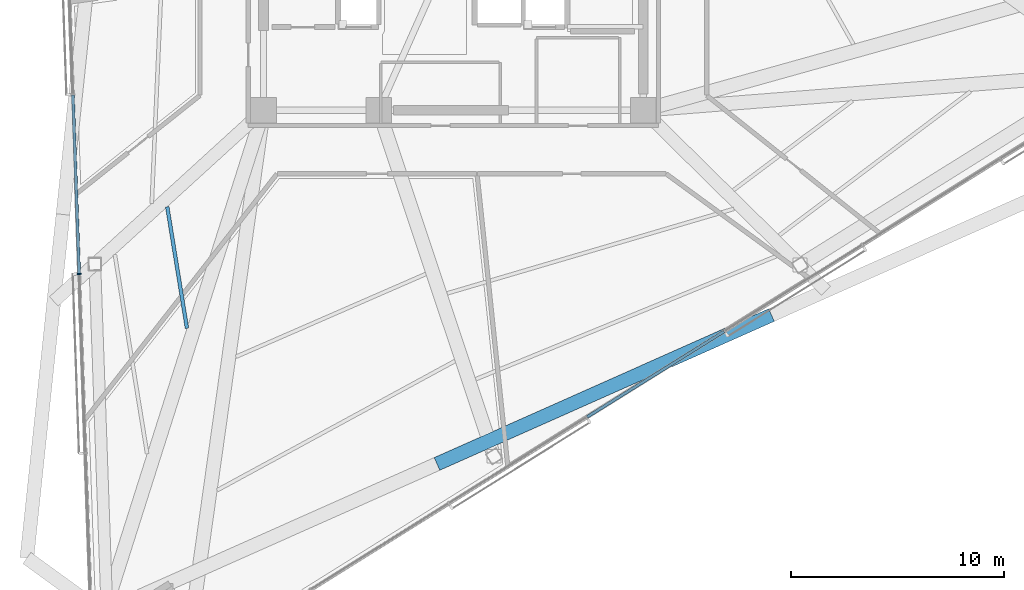
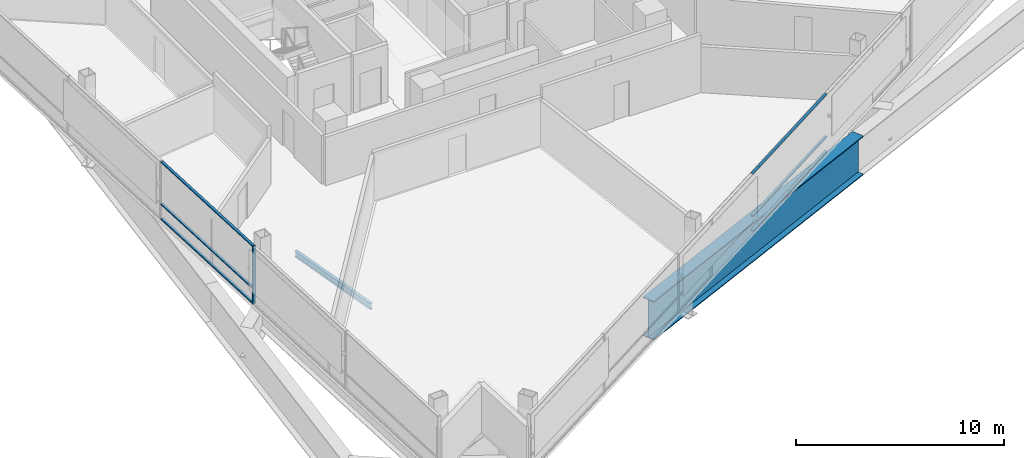
# One storey, part 3 of 20: 7 members, 2 beams, 2 elements without a shape of their own.
"""IFC4 building model written with IfcOpenShell, lengths in metres."""

from ifc_helpers import new_model, si_unit, direction, frame, origin, origin_2d, place, context, subcontext, project, spatial, rectangle, i_section, extrude, material, layer, layer_set, material_profile, profile_set, type_object, element, aggregate, save


model = new_model("IFC4")

# Units and contexts
model_context = context("Model", 3, precision=1e-05, world=origin(), true_north=direction((0.0, 1.0)))
body_context = subcontext(model_context, "Body", "Model", "MODEL_VIEW")
ifc_project = project(units=[si_unit("LENGTHUNIT", "METRE"), si_unit("AREAUNIT", "SQUARE_METRE"), si_unit("VOLUMEUNIT", "CUBIC_METRE"), si_unit("PLANEANGLEUNIT", "RADIAN"), si_unit("MASSUNIT", "GRAM", prefix="KILO")], contexts=[model_context])

# Site, building, storey
site_placement = place(None, origin())
site = spatial("IfcSite", under=ifc_project, at=site_placement, CompositionType="ELEMENT")
building_placement = place(site_placement, origin())
building = spatial("IfcBuilding", under=site, at=building_placement, Name="Tharavind Bronze Gate", CompositionType="ELEMENT")
storey_placement = place(building_placement, frame((0.0, 0.0, 138.800048828125)))
storey = spatial("IfcBuildingStorey", under=building, at=storey_placement, Name="L35", CompositionType="ELEMENT", Elevation=138.800048828125)

# Curtain wall, members
ifc_material_1 = material(Name="Anodised Bronze Aluminium", Category="aluminium")
ifc_layer = layer(ifc_material_1, 0.219970703125)
ifc_layer_set = layer_set([ifc_layer], Name="Anodised Bronze Aluminium")
curtain_wall_type = type_object("IfcCurtainWallType", Name="UNITISED CURTAIN WALL MID OFFICE", PredefinedType="USERDEFINED", material=ifc_layer_set)
curtain_wall_1_placement = place(storey_placement, origin())
curtain_wall_1 = element("IfcCurtainWall", 1, at=curtain_wall_1_placement, inside=storey, type_object=curtain_wall_type, Name="L35 unitised curtain wall mid office CW-L35-S1", ObjectType="UNITISED CURTAIN WALL", PredefinedType="USERDEFINED")
member_type_1 = type_object("IfcMemberType", Name="CURTAIN WALL BRONZE MULLION 65X180", PredefinedType="MULLION", material=ifc_material_1)
member_1_placement = place(storey_placement, frame((-17.545166015625, -15.273193359375, 0.0), z_axis=(0.0, 0.0, 1.0), x_axis=(0.034899496703, -0.999390827019, 0.0)))
member_1 = element("IfcMember", 2, at=member_1_placement, type_object=member_type_1, Name="CW-L35-S1 mullion 5", PredefinedType="MULLION", context=body_context, shape_type="SweptSolid", body=[
    extrude(rectangle(XDim=0.06494140625, YDim=0.179931640625, at=origin_2d()), origin(), (0.0, 0.0, 1.0), 3.409912109375),
])
member_type_2 = type_object("IfcMemberType", Name="CURTAIN WALL BRONZE TRANSOM 65X140", PredefinedType="USERDEFINED", material=ifc_material_1)
member_2_placement = place(storey_placement, frame((-17.69189453125, -11.068603515625, 0.0), z_axis=(0.0, 0.0, 1.0), x_axis=(0.034899496703, -0.999390827019, 0.0)))
member_2 = element("IfcMember", 3, at=member_2_placement, type_object=member_type_2, Name="CW-L35-S1 transom TB4", ObjectType="TRANSOM", PredefinedType="USERDEFINED", context=body_context, shape_type="SweptSolid", body=[
    extrude(rectangle(XDim=8.361572265625, YDim=0.139892578125, at=origin_2d()), origin(), (0.0, 0.0, 1.0), 0.06494140625),
])
member_3_placement = place(storey_placement, frame((-17.69189453125, -11.068603515625, 0.867431640625), z_axis=(0.0, 0.0, 1.0), x_axis=(0.034899496703, -0.999390827019, 0.0)))
member_3 = element("IfcMember", 4, at=member_3_placement, type_object=member_type_2, Name="CW-L35-S1 transom TS4", ObjectType="TRANSOM", PredefinedType="USERDEFINED", context=body_context, shape_type="SweptSolid", body=[
    extrude(rectangle(XDim=8.361572265625, YDim=0.139892578125, at=origin_2d()), origin(), (0.0, 0.0, 1.0), 0.06494140625),
])
member_4_placement = place(storey_placement, frame((-17.69189453125, -11.068603515625, 3.344970703125), z_axis=(0.0, 0.0, 1.0), x_axis=(0.034899496703, -0.999390827019, 0.0)))
member_4 = element("IfcMember", 5, at=member_4_placement, type_object=member_type_2, Name="CW-L35-S1 transom TT4", ObjectType="TRANSOM", PredefinedType="USERDEFINED", context=body_context, shape_type="SweptSolid", body=[
    extrude(rectangle(XDim=8.361572265625, YDim=0.139892578125, at=origin_2d()), origin(), (0.0, 0.0, 1.0), 0.06494140625),
])
aggregate(curtain_wall_1, [member_1, member_2, member_3, member_4])

curtain_wall_2_placement = place(storey_placement, origin())
curtain_wall_2 = element("IfcCurtainWall", 6, at=curtain_wall_2_placement, inside=storey, type_object=curtain_wall_type, Name="L35 unitised curtain wall mid office CW-L35-S2", ObjectType="UNITISED CURTAIN WALL", PredefinedType="USERDEFINED")
member_5_placement = place(storey_placement, frame((9.485595703125, -19.97998046875, 0.0), z_axis=(0.0, 0.0, 1.0), x_axis=(0.848048096156, 0.529919264233, 0.0)))
member_5 = element("IfcMember", 7, at=member_5_placement, type_object=member_type_2, Name="CW-L35-S2 transom TB4", ObjectType="TRANSOM", PredefinedType="USERDEFINED", context=body_context, shape_type="SweptSolid", body=[
    extrude(rectangle(XDim=7.57080078125, YDim=0.139892578125, at=origin_2d()), origin(), (0.0, 0.0, 1.0), 0.06494140625),
])
member_6_placement = place(storey_placement, frame((9.485595703125, -19.97998046875, 0.867431640625), z_axis=(0.0, 0.0, 1.0), x_axis=(0.848048096156, 0.529919264233, 0.0)))
member_6 = element("IfcMember", 8, at=member_6_placement, type_object=member_type_2, Name="CW-L35-S2 transom TS4", ObjectType="TRANSOM", PredefinedType="USERDEFINED", context=body_context, shape_type="SweptSolid", body=[
    extrude(rectangle(XDim=7.57080078125, YDim=0.139892578125, at=origin_2d()), origin(), (0.0, 0.0, 1.0), 0.06494140625),
])
member_7_placement = place(storey_placement, frame((9.485595703125, -19.97998046875, 3.344970703125), z_axis=(0.0, 0.0, 1.0), x_axis=(0.848048096156, 0.529919264233, 0.0)))
member_7 = element("IfcMember", 9, at=member_7_placement, type_object=member_type_2, Name="CW-L35-S2 transom TT4", ObjectType="TRANSOM", PredefinedType="USERDEFINED", context=body_context, shape_type="SweptSolid", body=[
    extrude(rectangle(XDim=7.57080078125, YDim=0.139892578125, at=origin_2d()), origin(), (0.0, 0.0, 1.0), 0.06494140625),
])
aggregate(curtain_wall_2, [member_5, member_6, member_7])

# Beams
ifc_material_2 = material(Name="Steel S355", Category="steel")
ifc_material_profile_1 = material_profile(ifc_material_2, i_section(OverallWidth=0.169921875, OverallDepth=0.360107421875, WebThickness=0.008056640625, FlangeThickness=0.0126953125, at=origin_2d()), Name="IPE360")
ifc_profile_set_1 = profile_set([ifc_material_profile_1], Name="Steel S355")
beam_type_1 = type_object("IfcBeamType", Name="SECONDARY FLOOR JOIST IPE360", PredefinedType="JOIST", material=ifc_profile_set_1)
beam_1_placement = place(storey_placement, frame((-13.414306640625, -12.127197265625, -0.3701171875), z_axis=(0.160106776908, -0.987099701139, 0.0), x_axis=(0.987099701139, 0.160106776908, 0.0)))
element("IfcBeam", 10, at=beam_1_placement, inside=storey, type_object=beam_type_1, Name="L35 secondary floor joist ipe360 BM-L35-JSTA03", PredefinedType="JOIST", context=body_context, shape_type="SweptSolid", body=[
    extrude(i_section(OverallWidth=0.169921875, OverallDepth=0.360107421875, WebThickness=0.008056640625, FlangeThickness=0.0126953125, at=origin_2d()), origin(), (0.0, 0.0, 1.0), 5.776123046875),
])
ifc_material_3 = material(Name="Steel S460", Category="steel")
ifc_material_profile_2 = material_profile(ifc_material_3, i_section(OverallWidth=0.64990234375, OverallDepth=2.300048828125, WebThickness=0.035888671875, FlangeThickness=0.05810546875, at=origin_2d()), Name="PG2300X650")
ifc_profile_set_2 = profile_set([ifc_material_profile_2], Name="Steel S460")
beam_type_2 = type_object("IfcBeamType", Name="TRANSFER GIRDER 2300X650", PredefinedType="USERDEFINED", material=ifc_profile_set_2)
beam_2_placement = place(storey_placement, frame((-0.766357421875, -24.18798828125, -1.340087890625), z_axis=(0.913546351362, 0.406734635744, 0.0), x_axis=(-0.406734635744, 0.913546351362, 0.0)))
element("IfcBeam", 11, at=beam_2_placement, inside=storey, type_object=beam_type_2, Name="L35 transfer girder 2300x650 BM-L35-LRG06", ObjectType="TRANSFER GIRDER", PredefinedType="USERDEFINED", context=body_context, shape_type="SweptSolid", body=[
    extrude(i_section(OverallWidth=0.64990234375, OverallDepth=2.300048828125, WebThickness=0.035888671875, FlangeThickness=0.05810546875, at=origin_2d()), origin(), (0.0, 0.0, 1.0), 17.171875),
])

save(model, "model.ifc")
